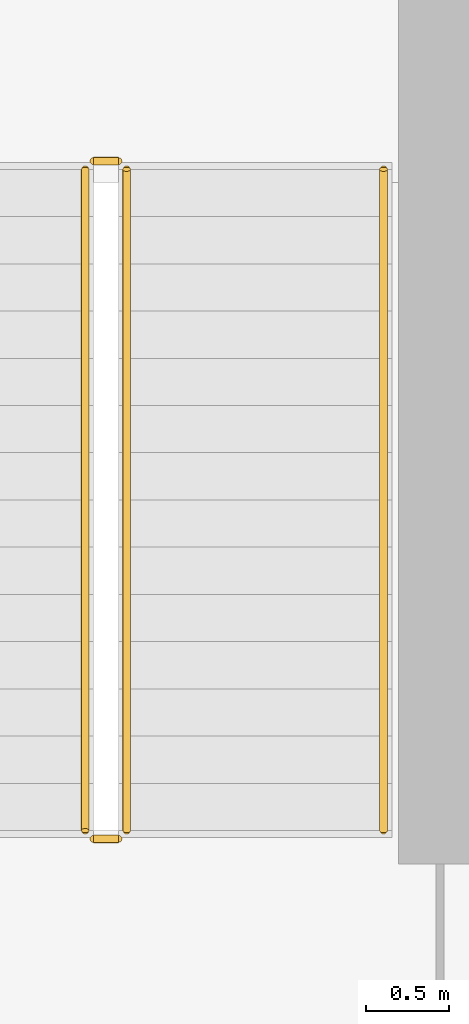
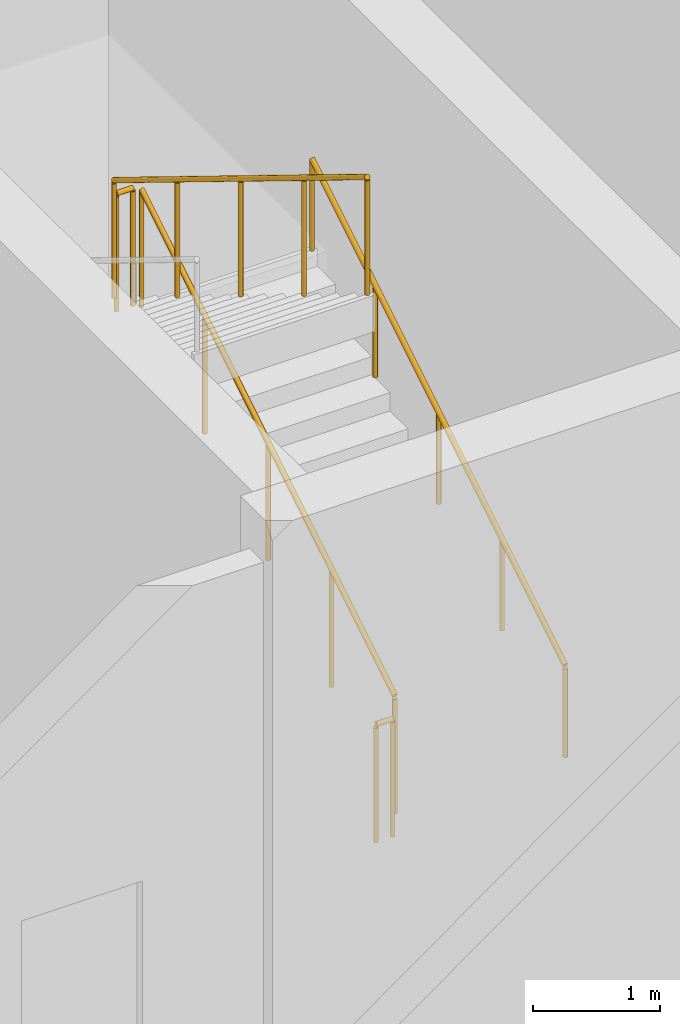
# One storey, part 9 of 10: 5 railings.
"""IFC4 building model written with IfcOpenShell, lengths in metres."""

from ifc_helpers import new_model, si_unit, direction, frame, origin, origin_2d, place, context, subcontext, project, spatial, circle, extrude, material, type_object, element, save


model = new_model("IFC4")

# Units and contexts
model_context = context("Model", 3, precision=1e-05, world=origin(), true_north=direction((0.0, 1.0)))
body_context = subcontext(model_context, "Body", "Model", "MODEL_VIEW")
ifc_project = project(units=[si_unit("LENGTHUNIT", "METRE"), si_unit("AREAUNIT", "SQUARE_METRE"), si_unit("VOLUMEUNIT", "CUBIC_METRE"), si_unit("PLANEANGLEUNIT", "RADIAN"), si_unit("MASSUNIT", "GRAM", prefix="KILO")], contexts=[model_context])

# Site, building, storey
site_placement = place(None, origin())
site = spatial("IfcSite", under=ifc_project, at=site_placement, CompositionType="ELEMENT")
building_placement = place(site_placement, origin())
building = spatial("IfcBuilding", under=site, at=building_placement, Name="Nhamokura Convention Tower", CompositionType="ELEMENT")
storey_placement = place(building_placement, frame((0.0, 0.0, 252.35009765625)))
storey = spatial("IfcBuildingStorey", under=building, at=storey_placement, Name="L62", CompositionType="ELEMENT", Elevation=252.35009765625)

# Railings
ifc_material_1 = material(Name="Anodised bronze stainless steel", Category="steel")
railing_type_1 = type_object("IfcRailingType", Name="StairWallHandrail_900", PredefinedType="HANDRAIL", material=ifc_material_1)
railing_1_placement = place(storey_placement, frame((42.5, 23.10009765625, 0.1748046875)))
element("IfcRailing", 1, at=railing_1_placement, inside=storey, type_object=railing_type_1, Name="L62 ST-02 stair handrail 1", PredefinedType="HANDRAIL", context=body_context, shape_type="SweptSolid", body=[
    extrude(circle(Radius=0.02392578125, at=origin_2d()), frame((0.0, 0.0, 0.8759765625), z_axis=(0.0, 0.852152053685, 0.523294255081), x_axis=(-1.0, 0.0, 0.0)), (0.0, 0.0, 1.0), 4.682373046875),
    extrude(circle(Radius=0.02099609375, at=origin_2d()), origin(), (0.0, 0.0, 1.0), 0.851806640625),
    extrude(circle(Radius=0.02099609375, at=origin_2d()), frame((0.0, 0.99755859375, 0.612548828125)), (0.0, 0.0, 1.0), 0.851806640625),
    extrude(circle(Radius=0.02099609375, at=origin_2d()), frame((0.0, 1.9951171875, 1.22509765625)), (0.0, 0.0, 1.0), 0.851806640625),
    extrude(circle(Radius=0.02099609375, at=origin_2d()), frame((0.0, 2.992431640625, 1.837646484375)), (0.0, 0.0, 1.0), 0.851806640625),
    extrude(circle(Radius=0.02099609375, at=origin_2d()), frame((0.0, 3.989990234375, 2.4501953125)), (0.0, 0.0, 1.0), 0.851806640625),
])
ifc_material_2 = material(Name="Painted tubular steel", Category="steel")
railing_type_2 = type_object("IfcRailingType", Name="StairWellGuardrail_1150", PredefinedType="GUARDRAIL", material=ifc_material_2)
railing_2_placement = place(storey_placement, frame((40.949951171875, 23.10009765625, 0.1748046875)))
element("IfcRailing", 2, at=railing_2_placement, inside=storey, type_object=railing_type_2, Name="L62 ST-02 stair guard 1", PredefinedType="GUARDRAIL", context=body_context, shape_type="SweptSolid", body=[
    extrude(circle(Radius=0.02392578125, at=origin_2d()), frame((0.0, 0.0, 1.1259765625), z_axis=(0.0, 0.852152053685, 0.523294255081), x_axis=(-1.0, 0.0, 0.0)), (0.0, 0.0, 1.0), 4.682373046875),
    extrude(circle(Radius=0.02099609375, at=origin_2d()), origin(), (0.0, 0.0, 1.0), 1.101806640625),
    extrude(circle(Radius=0.02099609375, at=origin_2d()), frame((0.0, 0.99755859375, 0.612548828125)), (0.0, 0.0, 1.0), 1.101806640625),
    extrude(circle(Radius=0.02099609375, at=origin_2d()), frame((0.0, 1.9951171875, 1.22509765625)), (0.0, 0.0, 1.0), 1.101806640625),
    extrude(circle(Radius=0.02099609375, at=origin_2d()), frame((0.0, 2.992431640625, 1.837646484375)), (0.0, 0.0, 1.0), 1.101806640625),
    extrude(circle(Radius=0.02099609375, at=origin_2d()), frame((0.0, 3.989990234375, 2.4501953125)), (0.0, 0.0, 1.0), 1.101806640625),
])
railing_3_placement = place(storey_placement, frame((40.89990234375, 27.139892578125, 2.625)))
element("IfcRailing", 3, at=railing_3_placement, inside=storey, type_object=railing_type_2, Name="L62 ST-02 stair guard 2", PredefinedType="GUARDRAIL", context=body_context, shape_type="SweptSolid", body=[
    extrude(circle(Radius=0.02392578125, at=origin_2d()), frame((0.0, 0.0, 1.1259765625), z_axis=(-1.0, 0.0, 0.0), x_axis=(0.0, -1.0, 0.0)), (0.0, 0.0, 1.0), 0.14990234375),
    extrude(circle(Radius=0.02099609375, at=origin_2d()), origin(), (0.0, 0.0, 1.0), 1.101806640625),
    extrude(circle(Radius=0.02099609375, at=origin_2d()), frame((-0.14990234375, 0.0, 0.0)), (0.0, 0.0, 1.0), 1.101806640625),
])
railing_4_placement = place(storey_placement, frame((40.699951171875, 27.090087890625, 2.7998046875)))
element("IfcRailing", 4, at=railing_4_placement, inside=storey, type_object=railing_type_2, Name="L62 ST-02 stair guard 3", PredefinedType="GUARDRAIL", context=body_context, shape_type="SweptSolid", body=[
    extrude(circle(Radius=0.02392578125, at=origin_2d()), frame((0.0, 0.0, 1.1259765625), z_axis=(0.0, -0.852152053685, 0.523294255081), x_axis=(1.0, 0.0, 0.0)), (0.0, 0.0, 1.0), 4.682373046875),
    extrude(circle(Radius=0.02099609375, at=origin_2d()), origin(), (0.0, 0.0, 1.0), 1.101806640625),
    extrude(circle(Radius=0.02099609375, at=origin_2d()), frame((0.0, -0.99755859375, 0.612548828125)), (0.0, 0.0, 1.0), 1.101806640625),
    extrude(circle(Radius=0.02099609375, at=origin_2d()), frame((0.0, -1.9951171875, 1.22509765625)), (0.0, 0.0, 1.0), 1.101806640625),
    extrude(circle(Radius=0.02099609375, at=origin_2d()), frame((0.0, -2.992431640625, 1.837646484375)), (0.0, 0.0, 1.0), 1.101806640625),
    extrude(circle(Radius=0.02099609375, at=origin_2d()), frame((0.0, -3.989990234375, 2.4501953125)), (0.0, 0.0, 1.0), 1.101806640625),
])
railing_5_placement = place(storey_placement, frame((40.89990234375, 23.050048828125, 0.0)))
element("IfcRailing", 5, at=railing_5_placement, inside=storey, type_object=railing_type_2, Name="L62 ST-02 stair guard 4", PredefinedType="GUARDRAIL", context=body_context, shape_type="SweptSolid", body=[
    extrude(circle(Radius=0.02392578125, at=origin_2d()), frame((0.0, 0.0, 1.1259765625), z_axis=(-1.0, 0.0, 0.0), x_axis=(0.0, -1.0, 0.0)), (0.0, 0.0, 1.0), 0.14990234375),
    extrude(circle(Radius=0.02099609375, at=origin_2d()), origin(), (0.0, 0.0, 1.0), 1.101806640625),
    extrude(circle(Radius=0.02099609375, at=origin_2d()), frame((-0.14990234375, 0.0, 0.0)), (0.0, 0.0, 1.0), 1.101806640625),
])

save(model, "model.ifc")
